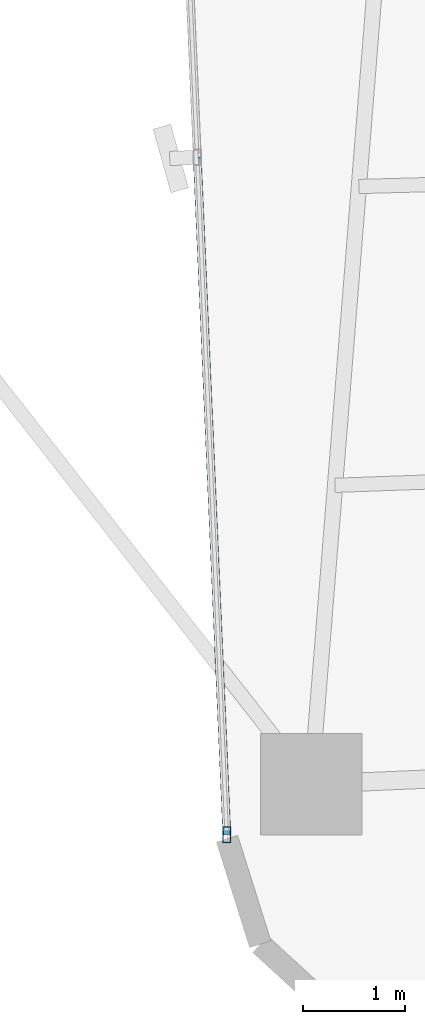
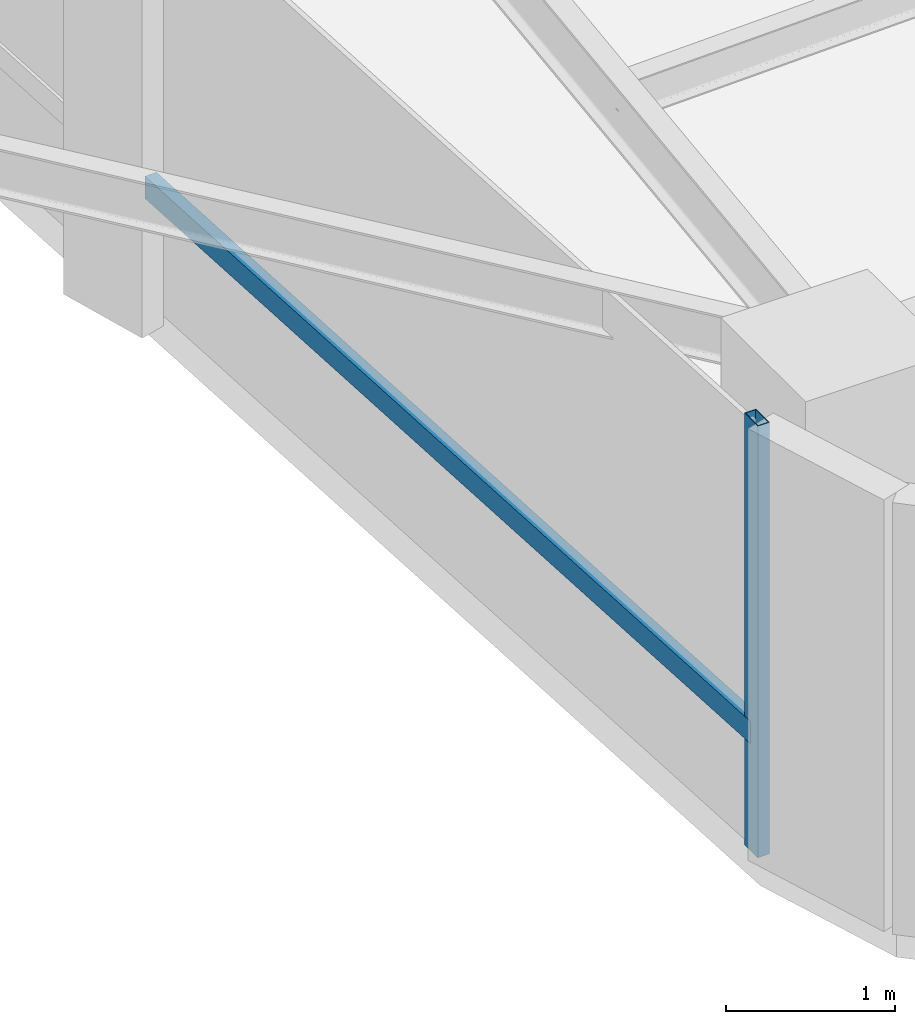
# One storey, part 2 of 26: 2 members, 1 element without a shape of its own.
"""IFC4 building model written with IfcOpenShell, lengths in metres."""

from ifc_helpers import new_model, si_unit, direction, frame, origin, origin_2d, place, context, subcontext, project, spatial, hollow_rectangle, extrude, source, transform, mapped, material, material_profile, profile_set, type_object, element, aggregate, save


model = new_model("IFC4")

# Units and contexts
model_context = context("Model", 3, precision=1e-05, world=origin(), true_north=direction((0.0, 1.0)))
body_context = subcontext(model_context, "Body", "Model", "MODEL_VIEW")
ifc_project = project(units=[si_unit("LENGTHUNIT", "METRE"), si_unit("AREAUNIT", "SQUARE_METRE"), si_unit("VOLUMEUNIT", "CUBIC_METRE"), si_unit("PLANEANGLEUNIT", "RADIAN"), si_unit("MASSUNIT", "GRAM", prefix="KILO")], contexts=[model_context])

# Site, building, storey
site_placement = place(None, origin())
site = spatial("IfcSite", under=ifc_project, at=site_placement, CompositionType="ELEMENT")
building_placement = place(site_placement, origin())
building = spatial("IfcBuilding", under=site, at=building_placement, Name="Sahyath Konkavel Grand Hotel", CompositionType="ELEMENT")
storey_placement = place(building_placement, frame((0.0, 0.0, 83.5)))
storey = spatial("IfcBuildingStorey", under=building, at=storey_placement, Name="L22", CompositionType="ELEMENT", Elevation=83.5)

# Curtain wall, members
ifc_material_1 = material(Name="Anodised Bronze Aluminium & Low-E Glazing", Category="aluminium")
curtain_wall_type = type_object("IfcCurtainWallType", Name="CW-ZONE2", PredefinedType="NOTDEFINED", material=ifc_material_1)
curtain_wall_placement = place(storey_placement, origin())
curtain_wall = element("IfcCurtainWall", 1, at=curtain_wall_placement, inside=storey, type_object=curtain_wall_type, Name="L22 Unitised Curtain Wall F24", PredefinedType="NOTDEFINED")
ifc_material_2 = material(Name="Anodised Bronze Aluminium", Category="aluminium")
ifc_material_profile_1 = material_profile(ifc_material_2, hollow_rectangle(XDim=0.080078125, YDim=0.159912109375, WallThickness=0.006103515625, at=origin_2d()), Name="RHS 160x80x6")
ifc_profile_set_1 = profile_set([ifc_material_profile_1], Name="Anodised Bronze Aluminium")
member_type_1 = type_object("IfcMemberType", Name="CW-MUL-160", PredefinedType="MULLION", material=ifc_profile_set_1)
shared_shape_1 = source(origin(), body_context, "Body", "SweptSolid", [
    extrude(hollow_rectangle(XDim=0.080078125, YDim=0.159912109375, WallThickness=0.006103515625, at=origin_2d()), origin(), (0.0, 0.0, 1.0), 3.110107421875),
])
member_1_placement = place(storey_placement, frame((-5.605224609375, -22.92626953125, 0.0), z_axis=(0.0, 0.0, 1.0), x_axis=(1.0, 0.0, 0.0)))
member_1 = element("IfcMember", 2, at=member_1_placement, type_object=member_type_1, Name="L22 Curtain Wall Mullion F24-2", PredefinedType="MULLION", context=body_context, shape_type="MappedRepresentation", body=[
    mapped(shared_shape_1, transform((0.0, 0.0, 0.0), scale=1.0)),
])
ifc_material_profile_2 = material_profile(ifc_material_2, hollow_rectangle(XDim=0.080078125, YDim=0.159912109375, WallThickness=0.006103515625, at=origin_2d()), Name="RHS 160x80x6")
ifc_profile_set_2 = profile_set([ifc_material_profile_2], Name="Anodised Bronze Aluminium")
member_type_2 = type_object("IfcMemberType", Name="CW-TRN-160", PredefinedType="USERDEFINED", material=ifc_profile_set_2)
shared_shape_2 = source(origin(), body_context, "Body", "SweptSolid", [
    extrude(hollow_rectangle(XDim=0.080078125, YDim=0.159912109375, WallThickness=0.006103515625, at=origin_2d()), origin(), (0.0, 0.0, 1.0), 6.659912109375),
])
member_2_placement = place(storey_placement, frame((-5.895751953125, -16.272705078125, 0.85009765625), z_axis=(0.043623350741, -0.999048048529, 0.0), x_axis=(0.999048048529, 0.043623350741, 0.0)))
member_2 = element("IfcMember", 3, at=member_2_placement, type_object=member_type_2, Name="L22 Curtain Wall Transom F24-1-spandrel", ObjectType="TRANSOM", PredefinedType="USERDEFINED", context=body_context, shape_type="MappedRepresentation", body=[
    mapped(shared_shape_2, transform((0.0, 0.0, 0.0), scale=1.0)),
])
aggregate(curtain_wall, [member_1, member_2])

save(model, "model.ifc")
